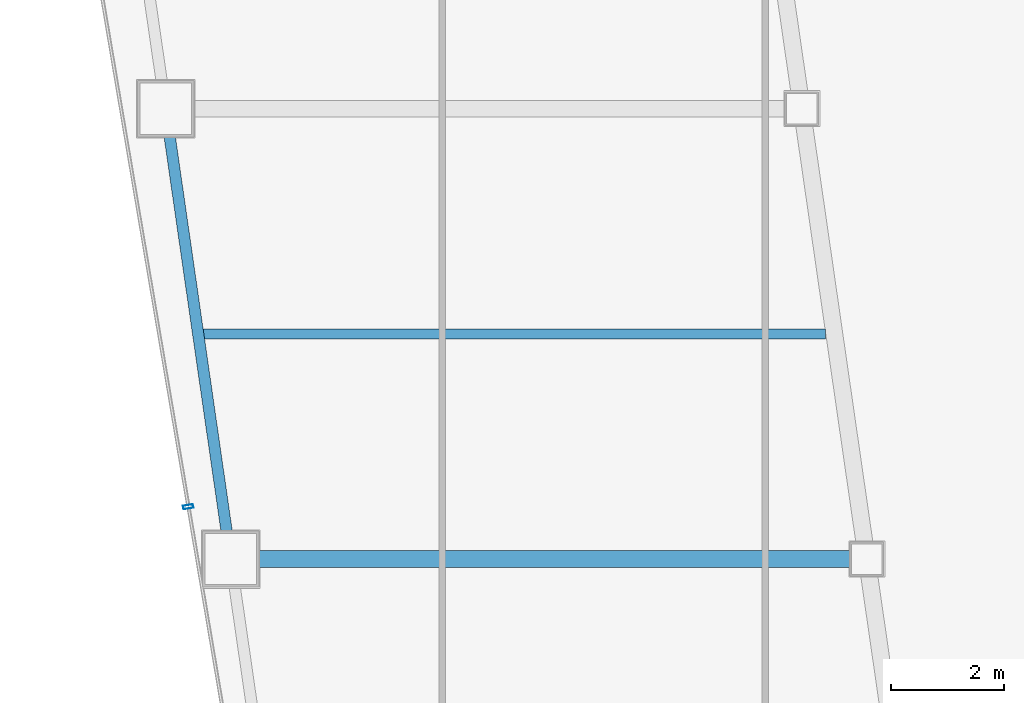
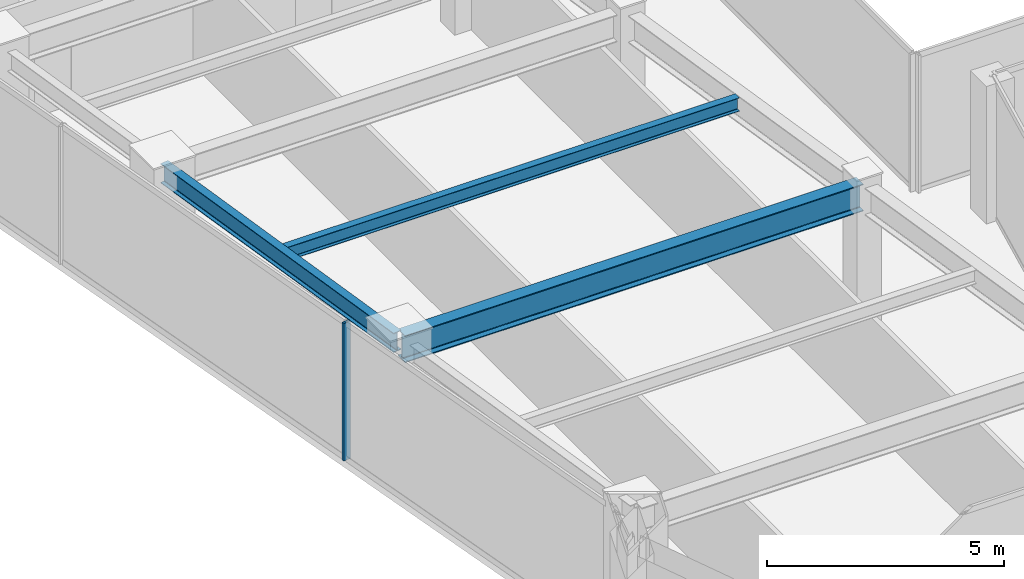
# One storey, part 4 of 35: 3 beams, 1 member, 1 element without a shape of its own.
"""IFC4 building model written with IfcOpenShell, lengths in metres."""

from ifc_helpers import new_model, si_unit, direction, frame, origin, origin_2d, place, context, subcontext, project, spatial, hollow_rectangle, i_section, extrude, material, material_profile, profile_set, type_object, element, aggregate, save


model = new_model("IFC4")

# Units and contexts
model_context = context("Model", 3, precision=1e-05, world=origin(), true_north=direction((0.0, 1.0)))
body_context = subcontext(model_context, "Body", "Model", "MODEL_VIEW")
ifc_project = project(units=[si_unit("LENGTHUNIT", "METRE"), si_unit("AREAUNIT", "SQUARE_METRE"), si_unit("VOLUMEUNIT", "CUBIC_METRE"), si_unit("PLANEANGLEUNIT", "RADIAN"), si_unit("MASSUNIT", "GRAM", prefix="KILO")], contexts=[model_context])

# Site, building, storey
site_placement = place(None, origin())
site = spatial("IfcSite", under=ifc_project, at=site_placement, CompositionType="ELEMENT")
building_placement = place(site_placement, origin())
building = spatial("IfcBuilding", under=site, at=building_placement, Name="Saevonmaru Cultural Tower", CompositionType="ELEMENT")
storey_placement = place(building_placement, frame((0.0, 0.0, 179.0)))
storey = spatial("IfcBuildingStorey", under=building, at=storey_placement, Name="L40", CompositionType="ELEMENT", Elevation=179.0)

# Beams
ifc_material_1 = material(Name="Steel SM355", Category="steel")
ifc_material_profile_1 = material_profile(ifc_material_1, i_section(OverallWidth=0.300048828125, OverallDepth=0.699951171875, WebThickness=0.012939453125, FlangeThickness=0.02392578125, FilletRadius=0.02587890625, at=origin_2d()), Name="H-700x300x13x24")
ifc_profile_set_1 = profile_set([ifc_material_profile_1], Name="Steel SM355")
beam_type_1 = type_object("IfcBeamType", Name="BM-G-H700", PredefinedType="BEAM", material=ifc_profile_set_1)
beam_1_placement = place(storey_placement, frame((9.531982421875, 24.0, 3.199951171875), z_axis=(1.0, 0.0, 0.0), x_axis=(0.0, 1.0, 0.0)))
element("IfcBeam", 1, at=beam_1_placement, inside=storey, type_object=beam_type_1, Name="L40 West Wing Transverse Girder 2", PredefinedType="BEAM", context=body_context, shape_type="SweptSolid", body=[
    extrude(i_section(OverallWidth=0.300048828125, OverallDepth=0.699951171875, WebThickness=0.012939453125, FlangeThickness=0.02392578125, FilletRadius=0.02587890625, at=origin_2d()), origin(), (0.0, 0.0, 1.0), 11.179931640625),
])
ifc_material_profile_2 = material_profile(ifc_material_1, i_section(OverallWidth=0.175048828125, OverallDepth=0.35009765625, WebThickness=0.007080078125, FlangeThickness=0.010986328125, FilletRadius=0.012939453125, at=origin_2d()), Name="H-350x175x7x11")
ifc_profile_set_2 = profile_set([ifc_material_profile_2], Name="Steel SM355")
beam_type_2 = type_object("IfcBeamType", Name="BM-J-H350", PredefinedType="JOIST", material=ifc_profile_set_2)
beam_2_placement = place(storey_placement, frame((8.95458984375, 28.0, 3.375), z_axis=(1.0, 0.0, 0.0), x_axis=(0.0, 1.0, 0.0)))
element("IfcBeam", 2, at=beam_2_placement, inside=storey, type_object=beam_type_2, Name="L40 West Wing Floor Joist 2", PredefinedType="JOIST", context=body_context, shape_type="SweptSolid", body=[
    extrude(i_section(OverallWidth=0.175048828125, OverallDepth=0.35009765625, WebThickness=0.007080078125, FlangeThickness=0.010986328125, FilletRadius=0.012939453125, at=origin_2d()), origin(), (0.0, 0.0, 1.0), 11.08203125),
])
ifc_material_profile_3 = material_profile(ifc_material_1, i_section(OverallWidth=0.199951171875, OverallDepth=0.5, WebThickness=0.010009765625, FlangeThickness=0.01611328125, FilletRadius=0.02001953125, at=origin_2d()), Name="H-500x200x10x16")
ifc_profile_set_3 = profile_set([ifc_material_profile_3], Name="Steel SM355")
beam_type_3 = type_object("IfcBeamType", Name="BM-SP-H500", PredefinedType="SPANDREL", material=ifc_profile_set_3)
beam_3_placement = place(storey_placement, frame((9.46337890625, 24.059326171875, 3.300048828125), z_axis=(-0.142871999001, 0.989741174197, 0.0), x_axis=(-0.989741174197, -0.142871999001, 0.0)))
element("IfcBeam", 3, at=beam_3_placement, inside=storey, type_object=beam_type_3, Name="L40 West Splayed Spandrel 2", PredefinedType="SPANDREL", context=body_context, shape_type="SweptSolid", body=[
    extrude(i_section(OverallWidth=0.199951171875, OverallDepth=0.5, WebThickness=0.010009765625, FlangeThickness=0.01611328125, FilletRadius=0.02001953125, at=origin_2d()), origin(), (0.0, 0.0, 1.0), 7.963134765625),
])

# Curtain wall, member
ifc_material_2 = material(Name="Satin Bronze Anodised Aluminium", Category="aluminium")
curtain_wall_type = type_object("IfcCurtainWallType", Name="CW-TYP-B", PredefinedType="NOTDEFINED", material=ifc_material_2)
curtain_wall_placement = place(storey_placement, origin())
curtain_wall = element("IfcCurtainWall", 4, at=curtain_wall_placement, inside=storey, type_object=curtain_wall_type, Name="L40 Unitised Curtain Wall E12", PredefinedType="NOTDEFINED")
ifc_material_profile_4 = material_profile(ifc_material_2, hollow_rectangle(XDim=0.06494140625, YDim=0.179931640625, WallThickness=0.00390625, at=origin_2d()), Name="ALU-MULL-180x65x4")
ifc_profile_set_4 = profile_set([ifc_material_profile_4], Name="Satin Bronze Anodised Aluminium")
member_type = type_object("IfcMemberType", Name="ML-CW-180x65", PredefinedType="MULLION", material=ifc_profile_set_4)
member_placement = place(storey_placement, frame((8.71826171875, 24.9296875, 0.0), z_axis=(0.0, 0.0, 1.0), x_axis=(0.16692169721, -0.985970155228, 0.0)))
member = element("IfcMember", 5, at=member_placement, type_object=member_type, Name="CW-TW-L40-E12 mullion 4", PredefinedType="MULLION", context=body_context, shape_type="SweptSolid", body=[
    extrude(hollow_rectangle(XDim=0.06494140625, YDim=0.179931640625, WallThickness=0.00390625, at=origin_2d()), origin(), (0.0, 0.0, 1.0), 3.550048828125),
])
aggregate(curtain_wall, [member])

save(model, "model.ifc")
